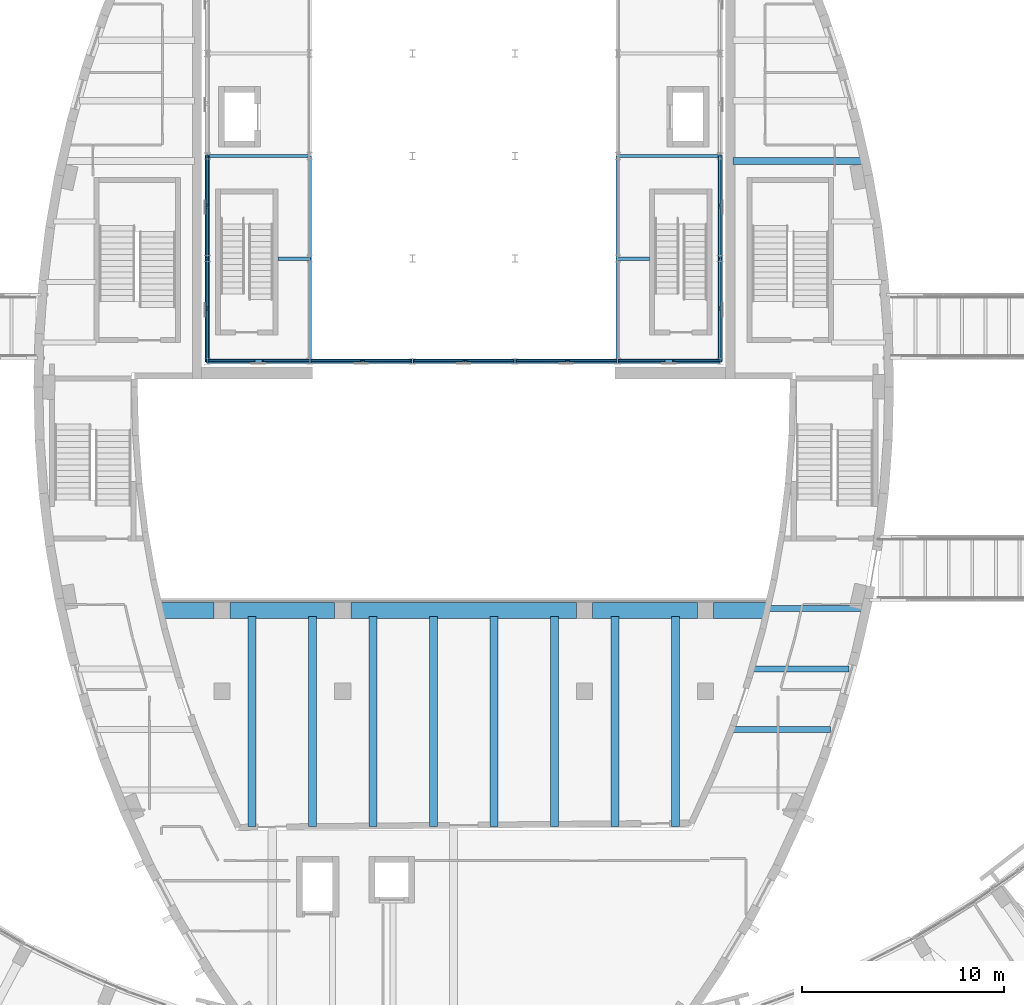
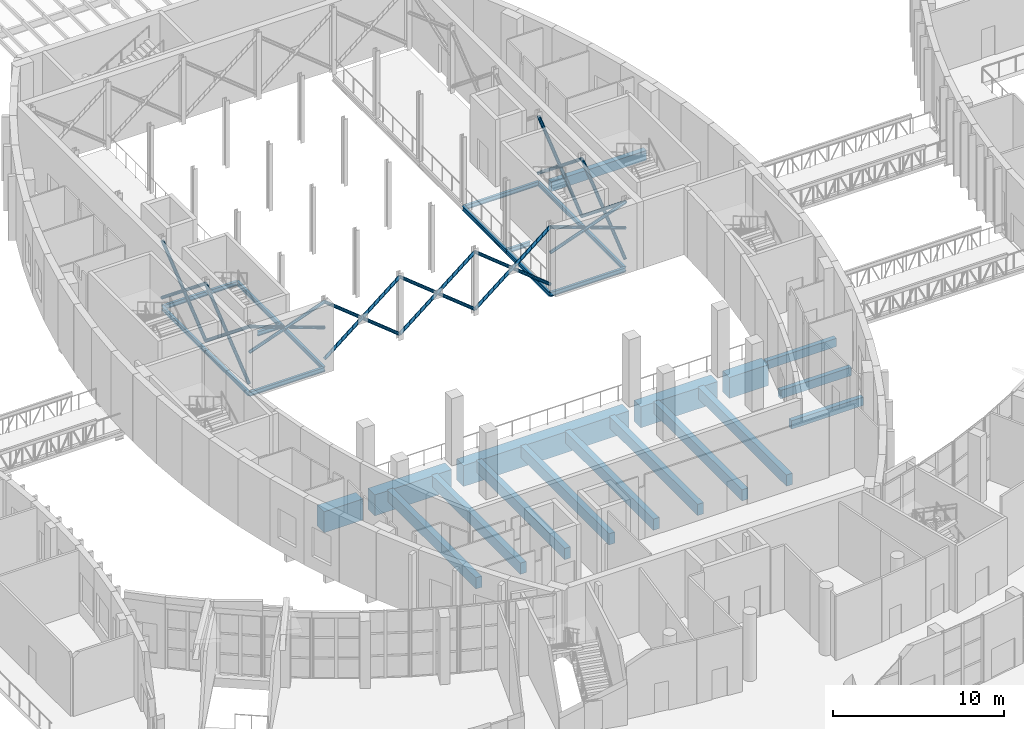
# One storey, part 25 of 93: 31 beams, 27 members.
"""IFC4 building model written with IfcOpenShell, lengths in metres."""

from ifc_helpers import new_model, si_unit, direction, frame, origin, origin_2d, place, context, subcontext, project, spatial, rectangle, hollow_circle, i_section, extrude, material, material_profile, profile_set, type_object, element, save


model = new_model("IFC4")

# Units and contexts
model_context = context("Model", 3, precision=1e-05, world=origin(), true_north=direction((0.0, 1.0)))
body_context = subcontext(model_context, "Body", "Model", "MODEL_VIEW")
ifc_project = project(units=[si_unit("LENGTHUNIT", "METRE"), si_unit("AREAUNIT", "SQUARE_METRE"), si_unit("VOLUMEUNIT", "CUBIC_METRE"), si_unit("PLANEANGLEUNIT", "RADIAN"), si_unit("MASSUNIT", "GRAM", prefix="KILO")], contexts=[model_context])

# Site, building, storey
site_placement = place(None, origin())
site = spatial("IfcSite", under=ifc_project, at=site_placement, CompositionType="ELEMENT")
building_placement = place(site_placement, origin())
building = spatial("IfcBuilding", under=site, at=building_placement, Name="Tide Square Theatres", CompositionType="ELEMENT")
storey_placement = place(building_placement, frame((0.0, 0.0, 5.39990234375)))
storey = spatial("IfcBuildingStorey", under=building, at=storey_placement, Name="L01", CompositionType="ELEMENT", Elevation=5.39990234375)

# Beams
ifc_material_1 = material(Name="Concrete C35", Category="concrete")
ifc_material_profile_1 = material_profile(ifc_material_1, rectangle(XDim=0.300048828125, YDim=0.60009765625, at=origin_2d()))
ifc_profile_set_1 = profile_set([ifc_material_profile_1], Name="Concrete C35")
beam_type_1 = type_object("IfcBeamType", Name="RC beam 300 x 600", PredefinedType="BEAM", material=ifc_profile_set_1)
beam_1_placement = place(storey_placement, frame((97.345947265625, 38.0, -0.5498046875), z_axis=(1.0, 0.0, 0.0), x_axis=(0.0, 1.0, 0.0)))
element("IfcBeam", 1, at=beam_1_placement, inside=storey, type_object=beam_type_1, Name="Floor beam", PredefinedType="BEAM", context=body_context, shape_type="SweptSolid", body=[
    extrude(rectangle(XDim=0.300048828125, YDim=0.60009765625, at=origin_2d()), origin(), (0.0, 0.0, 1.0), 4.850341796875),
])
beam_2_placement = place(storey_placement, frame((98.336669921875, 41.0, -0.5498046875), z_axis=(1.0, 0.0, 0.0), x_axis=(0.0, 1.0, 0.0)))
element("IfcBeam", 2, at=beam_2_placement, inside=storey, type_object=beam_type_1, Name="Floor beam", PredefinedType="BEAM", context=body_context, shape_type="SweptSolid", body=[
    extrude(rectangle(XDim=0.300048828125, YDim=0.60009765625, at=origin_2d()), origin(), (0.0, 0.0, 1.0), 4.769775390625),
])
beam_3_placement = place(storey_placement, frame((99.12060546875, 44.0, -0.5498046875), z_axis=(1.0, 0.0, 0.0), x_axis=(0.0, 1.0, 0.0)))
element("IfcBeam", 3, at=beam_3_placement, inside=storey, type_object=beam_type_1, Name="Floor beam", PredefinedType="BEAM", context=body_context, shape_type="SweptSolid", body=[
    extrude(rectangle(XDim=0.300048828125, YDim=0.60009765625, at=origin_2d()), origin(), (0.0, 0.0, 1.0), 4.710693359375),
])
ifc_material_2 = material(Name="Concrete C35", Category="concrete")
ifc_material_profile_2 = material_profile(ifc_material_2, rectangle(XDim=0.35009765625, YDim=0.699951171875, at=origin_2d()))
ifc_profile_set_2 = profile_set([ifc_material_profile_2], Name="Concrete C35")
beam_type_2 = type_object("IfcBeamType", Name="RC beam 350 x 700", PredefinedType="BEAM", material=ifc_profile_set_2)
beam_4_placement = place(storey_placement, frame((97.35009765625, 66.199951171875, -0.599853515625), z_axis=(1.0, 0.0, 0.0), x_axis=(0.0, 1.0, 0.0)))
element("IfcBeam", 4, at=beam_4_placement, inside=storey, type_object=beam_type_2, Name="Floor beam", PredefinedType="BEAM", context=body_context, shape_type="SweptSolid", body=[
    extrude(rectangle(XDim=0.35009765625, YDim=0.699951171875, at=origin_2d()), origin(), (0.0, 0.0, 1.0), 6.43603515625),
])
ifc_material_3 = material(Name="Concrete C35", Category="concrete")
ifc_material_profile_3 = material_profile(ifc_material_3, rectangle(XDim=0.39990234375, YDim=0.800048828125, at=origin_2d()))
ifc_profile_set_3 = profile_set([ifc_material_profile_3], Name="Concrete C35")
beam_type_3 = type_object("IfcBeamType", Name="RC beam 400 x 800", PredefinedType="BEAM", material=ifc_profile_set_3)
for number, where, z_axis, x_axis, name in (
    (5, (73.5, 33.199951171875, -0.64990234375), (0.0, 1.0, 0.0), (-1.0, 0.0, 0.0), "Tier raker beam"),
    (6, (76.5, 33.199951171875, -0.64990234375), (0.0, 1.0, 0.0), (-1.0, 0.0, 0.0), "Tier raker beam"),
    (7, (79.5, 33.199951171875, -0.64990234375), (0.0, 1.0, 0.0), (-1.0, 0.0, 0.0), "Tier raker beam"),
    (8, (82.5, 33.199951171875, -0.64990234375), (0.0, 1.0, 0.0), (-1.0, 0.0, 0.0), "Tier raker beam"),
    (9, (85.5, 33.199951171875, -0.64990234375), (0.0, 1.0, 0.0), (-1.0, 0.0, 0.0), "Tier raker beam"),
    (10, (88.5, 33.199951171875, -0.64990234375), (0.0, 1.0, 0.0), (-1.0, 0.0, 0.0), "Tier raker beam"),
    (11, (91.5, 33.199951171875, -0.64990234375), (0.0, 1.0, 0.0), (-1.0, 0.0, 0.0), "Tier raker beam"),
    (12, (94.5, 33.199951171875, -0.64990234375), (0.0, 1.0, 0.0), (-1.0, 0.0, 0.0), "Tier raker beam"),
):
    element("IfcBeam", number, at=place(storey_placement, frame(where, z_axis=z_axis, x_axis=x_axis)), inside=storey, type_object=beam_type_3, Name=name, PredefinedType="BEAM", context=body_context, shape_type="SweptSolid", body=[
        extrude(rectangle(XDim=0.39990234375, YDim=0.800048828125, at=origin_2d()), origin(), (0.0, 0.0, 1.0), 10.400146484375),
    ])
ifc_material_4 = material(Name="Concrete C35", Category="concrete")
ifc_material_profile_4 = material_profile(ifc_material_4, rectangle(XDim=0.800048828125, YDim=1.5, at=origin_2d()))
ifc_profile_set_4 = profile_set([ifc_material_profile_4], Name="Concrete C35")
beam_type_4 = type_object("IfcBeamType", Name="RC circle girder 800 x 1500", PredefinedType="BEAM", material=ifc_profile_set_4)
beam_5_placement = place(storey_placement, frame((68.959716796875, 43.89990234375, -1.0), z_axis=(1.0, 0.0, 0.0), x_axis=(0.0, 1.0, 0.0)))
element("IfcBeam", 13, at=beam_5_placement, inside=storey, type_object=beam_type_4, Name="Circle front girder", PredefinedType="BEAM", context=body_context, shape_type="SweptSolid", body=[
    extrude(rectangle(XDim=0.800048828125, YDim=1.5, at=origin_2d()), origin(), (0.0, 0.0, 1.0), 2.640380859375),
])
beam_6_placement = place(storey_placement, frame((72.39990234375, 43.89990234375, -1.0), z_axis=(1.0, 0.0, 0.0), x_axis=(0.0, 1.0, 0.0)))
element("IfcBeam", 14, at=beam_6_placement, inside=storey, type_object=beam_type_4, Name="Circle front girder", PredefinedType="BEAM", context=body_context, shape_type="SweptSolid", body=[
    extrude(rectangle(XDim=0.800048828125, YDim=1.5, at=origin_2d()), origin(), (0.0, 0.0, 1.0), 5.2001953125),
])
beam_7_placement = place(storey_placement, frame((78.39990234375, 43.89990234375, -1.0), z_axis=(1.0, 0.0, 0.0), x_axis=(0.0, 1.0, 0.0)))
element("IfcBeam", 15, at=beam_7_placement, inside=storey, type_object=beam_type_4, Name="Circle front girder", PredefinedType="BEAM", context=body_context, shape_type="SweptSolid", body=[
    extrude(rectangle(XDim=0.800048828125, YDim=1.5, at=origin_2d()), origin(), (0.0, 0.0, 1.0), 11.2001953125),
])
beam_8_placement = place(storey_placement, frame((90.39990234375, 43.89990234375, -1.0), z_axis=(1.0, 0.0, 0.0), x_axis=(0.0, 1.0, 0.0)))
element("IfcBeam", 16, at=beam_8_placement, inside=storey, type_object=beam_type_4, Name="Circle front girder", PredefinedType="BEAM", context=body_context, shape_type="SweptSolid", body=[
    extrude(rectangle(XDim=0.800048828125, YDim=1.5, at=origin_2d()), origin(), (0.0, 0.0, 1.0), 5.2001953125),
])
beam_9_placement = place(storey_placement, frame((96.39990234375, 43.89990234375, -1.0), z_axis=(1.0, 0.0, 0.0), x_axis=(0.0, 1.0, 0.0)))
element("IfcBeam", 17, at=beam_9_placement, inside=storey, type_object=beam_type_4, Name="Circle front girder", PredefinedType="BEAM", context=body_context, shape_type="SweptSolid", body=[
    extrude(rectangle(XDim=0.800048828125, YDim=1.5, at=origin_2d()), origin(), (0.0, 0.0, 1.0), 2.640380859375),
])
ifc_material_5 = material(Name="Steel ASTM A572 Grade 50", Category="steel")
ifc_material_profile_5 = material_profile(ifc_material_5, i_section(OverallWidth=0.1650390625, OverallDepth=0.31005859375, WebThickness=0.005859375, FlangeThickness=0.009765625, FilletRadius=0.010009765625, at=origin_2d()))
ifc_profile_set_5 = profile_set([ifc_material_profile_5], Name="Steel ASTM A572 Grade 50")
beam_type_5 = type_object("IfcBeamType", Name="Steel beam W 310 x 38.7", PredefinedType="BEAM", material=ifc_profile_set_5)
for number, where, z_axis, x_axis, name in (
    (18, (71.27587890625, 56.27587890625, -0.35498046875), (0.0, 1.0, 0.0), (-1.0, 0.0, 0.0), "Fly gallery beam"),
    (19, (71.27587890625, 61.365478515625, -0.35498046875), (0.0, 1.0, 0.0), (-1.0, 0.0, 0.0), "Fly gallery beam"),
    (20, (76.365478515625, 56.27587890625, -0.35498046875), (0.0, 1.0, 0.0), (-1.0, 0.0, 0.0), "Fly gallery beam"),
    (21, (76.365478515625, 61.365478515625, -0.35498046875), (0.0, 1.0, 0.0), (-1.0, 0.0, 0.0), "Fly gallery beam"),
    (22, (71.27587890625, 56.27587890625, -0.35498046875), (1.0, 0.0, 0.0), (0.0, 1.0, 0.0), "Fly gallery cross beam"),
):
    element("IfcBeam", number, at=place(storey_placement, frame(where, z_axis=z_axis, x_axis=x_axis)), inside=storey, type_object=beam_type_5, Name=name, PredefinedType="BEAM", context=body_context, shape_type="SweptSolid", body=[
        extrude(i_section(OverallWidth=0.1650390625, OverallDepth=0.31005859375, WebThickness=0.005859375, FlangeThickness=0.009765625, FilletRadius=0.010009765625, at=origin_2d()), origin(), (0.0, 0.0, 1.0), 5.089599609375),
    ])
beam_10_placement = place(storey_placement, frame((74.77587890625, 61.365478515625, -0.35498046875), z_axis=(1.0, 0.0, 0.0), x_axis=(0.0, 1.0, 0.0)))
element("IfcBeam", 23, at=beam_10_placement, inside=storey, type_object=beam_type_5, Name="Fly gallery cross beam", PredefinedType="BEAM", context=body_context, shape_type="SweptSolid", body=[
    extrude(i_section(OverallWidth=0.1650390625, OverallDepth=0.31005859375, WebThickness=0.005859375, FlangeThickness=0.009765625, FilletRadius=0.010009765625, at=origin_2d()), origin(), (0.0, 0.0, 1.0), 1.589599609375),
])
for number, where, z_axis, x_axis, name in (
    (24, (71.27587890625, 66.455078125, -0.35498046875), (1.0, 0.0, 0.0), (0.0, 1.0, 0.0), "Fly gallery cross beam"),
    (25, (91.634521484375, 56.27587890625, -0.35498046875), (0.0, 1.0, 0.0), (-1.0, 0.0, 0.0), "Fly gallery beam"),
    (26, (91.634521484375, 61.365478515625, -0.35498046875), (0.0, 1.0, 0.0), (-1.0, 0.0, 0.0), "Fly gallery beam"),
    (27, (96.72412109375, 56.27587890625, -0.35498046875), (0.0, 1.0, 0.0), (-1.0, 0.0, 0.0), "Fly gallery beam"),
    (28, (96.72412109375, 61.365478515625, -0.35498046875), (0.0, 1.0, 0.0), (-1.0, 0.0, 0.0), "Fly gallery beam"),
    (29, (91.634521484375, 56.27587890625, -0.35498046875), (1.0, 0.0, 0.0), (0.0, 1.0, 0.0), "Fly gallery cross beam"),
):
    element("IfcBeam", number, at=place(storey_placement, frame(where, z_axis=z_axis, x_axis=x_axis)), inside=storey, type_object=beam_type_5, Name=name, PredefinedType="BEAM", context=body_context, shape_type="SweptSolid", body=[
        extrude(i_section(OverallWidth=0.1650390625, OverallDepth=0.31005859375, WebThickness=0.005859375, FlangeThickness=0.009765625, FilletRadius=0.010009765625, at=origin_2d()), origin(), (0.0, 0.0, 1.0), 5.089599609375),
    ])
beam_11_placement = place(storey_placement, frame((91.634521484375, 61.365478515625, -0.35498046875), z_axis=(1.0, 0.0, 0.0), x_axis=(0.0, 1.0, 0.0)))
element("IfcBeam", 30, at=beam_11_placement, inside=storey, type_object=beam_type_5, Name="Fly gallery cross beam", PredefinedType="BEAM", context=body_context, shape_type="SweptSolid", body=[
    extrude(i_section(OverallWidth=0.1650390625, OverallDepth=0.31005859375, WebThickness=0.005859375, FlangeThickness=0.009765625, FilletRadius=0.010009765625, at=origin_2d()), origin(), (0.0, 0.0, 1.0), 1.589599609375),
])
beam_12_placement = place(storey_placement, frame((91.634521484375, 66.455078125, -0.35498046875), z_axis=(1.0, 0.0, 0.0), x_axis=(0.0, 1.0, 0.0)))
element("IfcBeam", 31, at=beam_12_placement, inside=storey, type_object=beam_type_5, Name="Fly gallery cross beam", PredefinedType="BEAM", context=body_context, shape_type="SweptSolid", body=[
    extrude(i_section(OverallWidth=0.1650390625, OverallDepth=0.31005859375, WebThickness=0.005859375, FlangeThickness=0.009765625, FilletRadius=0.010009765625, at=origin_2d()), origin(), (0.0, 0.0, 1.0), 5.089599609375),
])

# Members
ifc_material_6 = material(Name="Steel ASTM A500 Grade C", Category="steel")
ifc_material_profile_6 = material_profile(ifc_material_6, hollow_circle(Radius=0.109619140625, WallThickness=0.010009765625, at=origin_2d()))
ifc_profile_set_6 = profile_set([ifc_material_profile_6], Name="Steel ASTM A500 Grade C")
member_type = type_object("IfcMemberType", Name="Steel brace CHS 219.1 x 10.0", PredefinedType="BRACE", material=ifc_profile_set_6)
member_1_placement = place(storey_placement, frame((71.27587890625, 56.27587890625, 2.60009765625), z_axis=(0.939832905453, 0.0, 0.34163446815), x_axis=(0.0, 1.0, 0.0)))
element("IfcMember", 32, at=member_1_placement, inside=storey, type_object=member_type, Name="Fly tower brace", PredefinedType="BRACE", context=body_context, shape_type="SweptSolid", body=[
    extrude(hollow_circle(Radius=0.109619140625, WallThickness=0.010009765625, at=origin_2d()), origin(), (0.0, 0.0, 1.0), 5.41552734375),
])
member_2_placement = place(storey_placement, frame((76.365478515625, 56.27587890625, 2.60009765625), z_axis=(-0.939825105533, 0.0, 0.341655924886), x_axis=(0.0, -1.0, 0.0)))
element("IfcMember", 33, at=member_2_placement, inside=storey, type_object=member_type, Name="Fly tower brace", PredefinedType="BRACE", context=body_context, shape_type="SweptSolid", body=[
    extrude(hollow_circle(Radius=0.109619140625, WallThickness=0.010009765625, at=origin_2d()), origin(), (0.0, 0.0, 1.0), 2.474609375),
])
member_3_placement = place(storey_placement, frame((73.601806640625, 56.27587890625, 3.604736328125), z_axis=(-0.939836620269, 0.0, 0.341624248556), x_axis=(0.0, -1.0, 0.0)))
element("IfcMember", 34, at=member_3_placement, inside=storey, type_object=member_type, Name="Fly tower brace", PredefinedType="BRACE", context=body_context, shape_type="SweptSolid", body=[
    extrude(hollow_circle(Radius=0.109619140625, WallThickness=0.010009765625, at=origin_2d()), origin(), (0.0, 0.0, 1.0), 2.474853515625),
])
member_4_placement = place(storey_placement, frame((76.365478515625, 56.27587890625, 0.35009765625), z_axis=(0.778743263534, 0.0, 0.627342752808), x_axis=(0.0, 1.0, 0.0)))
element("IfcMember", 35, at=member_4_placement, inside=storey, type_object=member_type, Name="Fly tower brace", PredefinedType="BRACE", context=body_context, shape_type="SweptSolid", body=[
    extrude(hollow_circle(Radius=0.109619140625, WallThickness=0.010009765625, at=origin_2d()), origin(), (0.0, 0.0, 1.0), 6.53564453125),
])
member_5_placement = place(storey_placement, frame((81.455078125, 56.27587890625, 0.35009765625), z_axis=(-0.778726492764, 0.0, 0.627363570402), x_axis=(0.0, -1.0, 0.0)))
element("IfcMember", 36, at=member_5_placement, inside=storey, type_object=member_type, Name="Fly tower brace", PredefinedType="BRACE", context=body_context, shape_type="SweptSolid", body=[
    extrude(hollow_circle(Radius=0.109619140625, WallThickness=0.010009765625, at=origin_2d()), origin(), (0.0, 0.0, 1.0), 3.14208984375),
])
member_6_placement = place(storey_placement, frame((78.8125, 56.27587890625, 2.47900390625), z_axis=(-0.778757072218, 0.0, 0.627325611203), x_axis=(0.0, -1.0, 0.0)))
element("IfcMember", 37, at=member_6_placement, inside=storey, type_object=member_type, Name="Fly tower brace", PredefinedType="BRACE", context=body_context, shape_type="SweptSolid", body=[
    extrude(hollow_circle(Radius=0.109619140625, WallThickness=0.010009765625, at=origin_2d()), origin(), (0.0, 0.0, 1.0), 3.142333984375),
])
member_7_placement = place(storey_placement, frame((81.455078125, 56.27587890625, 0.35009765625), z_axis=(0.778757964354, 0.0, 0.627324503711), x_axis=(0.0, 1.0, 0.0)))
element("IfcMember", 38, at=member_7_placement, inside=storey, type_object=member_type, Name="Fly tower brace", PredefinedType="BRACE", context=body_context, shape_type="SweptSolid", body=[
    extrude(hollow_circle(Radius=0.109619140625, WallThickness=0.010009765625, at=origin_2d()), origin(), (0.0, 0.0, 1.0), 6.535888671875),
])
for number, where, z_axis, x_axis, name in (
    (39, (86.544921875, 56.27587890625, 0.35009765625), (-0.778757072218, 0.0, 0.627325611203), (0.0, -1.0, 0.0), "Fly tower brace"),
    (40, (83.902099609375, 56.27587890625, 2.47900390625), (-0.778757072218, 0.0, 0.627325611203), (0.0, -1.0, 0.0), "Fly tower brace"),
):
    element("IfcMember", number, at=place(storey_placement, frame(where, z_axis=z_axis, x_axis=x_axis)), inside=storey, type_object=member_type, Name=name, PredefinedType="BRACE", context=body_context, shape_type="SweptSolid", body=[
        extrude(hollow_circle(Radius=0.109619140625, WallThickness=0.010009765625, at=origin_2d()), origin(), (0.0, 0.0, 1.0), 3.142333984375),
    ])
member_8_placement = place(storey_placement, frame((86.544921875, 56.27587890625, 0.35009765625), z_axis=(0.778743263534, 0.0, 0.627342752808), x_axis=(0.0, 1.0, 0.0)))
element("IfcMember", 41, at=member_8_placement, inside=storey, type_object=member_type, Name="Fly tower brace", PredefinedType="BRACE", context=body_context, shape_type="SweptSolid", body=[
    extrude(hollow_circle(Radius=0.109619140625, WallThickness=0.010009765625, at=origin_2d()), origin(), (0.0, 0.0, 1.0), 6.53564453125),
])
member_9_placement = place(storey_placement, frame((91.634521484375, 56.27587890625, 0.35009765625), z_axis=(-0.778757072218, 0.0, 0.627325611203), x_axis=(0.0, -1.0, 0.0)))
element("IfcMember", 42, at=member_9_placement, inside=storey, type_object=member_type, Name="Fly tower brace", PredefinedType="BRACE", context=body_context, shape_type="SweptSolid", body=[
    extrude(hollow_circle(Radius=0.109619140625, WallThickness=0.010009765625, at=origin_2d()), origin(), (0.0, 0.0, 1.0), 3.142333984375),
])
member_10_placement = place(storey_placement, frame((88.99169921875, 56.27587890625, 2.47900390625), z_axis=(-0.778726492764, 0.0, 0.627363570402), x_axis=(0.0, -1.0, 0.0)))
element("IfcMember", 43, at=member_10_placement, inside=storey, type_object=member_type, Name="Fly tower brace", PredefinedType="BRACE", context=body_context, shape_type="SweptSolid", body=[
    extrude(hollow_circle(Radius=0.109619140625, WallThickness=0.010009765625, at=origin_2d()), origin(), (0.0, 0.0, 1.0), 3.14208984375),
])
member_11_placement = place(storey_placement, frame((91.634521484375, 56.27587890625, 2.60009765625), z_axis=(0.939832905453, 0.0, 0.34163446815), x_axis=(0.0, 1.0, 0.0)))
element("IfcMember", 44, at=member_11_placement, inside=storey, type_object=member_type, Name="Fly tower brace", PredefinedType="BRACE", context=body_context, shape_type="SweptSolid", body=[
    extrude(hollow_circle(Radius=0.109619140625, WallThickness=0.010009765625, at=origin_2d()), origin(), (0.0, 0.0, 1.0), 5.41552734375),
])
member_12_placement = place(storey_placement, frame((96.72412109375, 56.27587890625, 2.60009765625), z_axis=(-0.939836620269, 0.0, 0.341624248556), x_axis=(0.0, -1.0, 0.0)))
element("IfcMember", 45, at=member_12_placement, inside=storey, type_object=member_type, Name="Fly tower brace", PredefinedType="BRACE", context=body_context, shape_type="SweptSolid", body=[
    extrude(hollow_circle(Radius=0.109619140625, WallThickness=0.010009765625, at=origin_2d()), origin(), (0.0, 0.0, 1.0), 2.474853515625),
])
member_13_placement = place(storey_placement, frame((93.960205078125, 56.27587890625, 3.604736328125), z_axis=(-0.939825105533, 0.0, 0.341655924886), x_axis=(0.0, -1.0, 0.0)))
element("IfcMember", 46, at=member_13_placement, inside=storey, type_object=member_type, Name="Fly tower brace", PredefinedType="BRACE", context=body_context, shape_type="SweptSolid", body=[
    extrude(hollow_circle(Radius=0.109619140625, WallThickness=0.010009765625, at=origin_2d()), origin(), (0.0, 0.0, 1.0), 2.474609375),
])
member_14_placement = place(storey_placement, frame((71.27587890625, 56.27587890625, 0.35009765625), z_axis=(0.0, 0.778743263534, 0.627342752808), x_axis=(-1.0, 0.0, 0.0)))
element("IfcMember", 47, at=member_14_placement, inside=storey, type_object=member_type, Name="Fly tower brace", PredefinedType="BRACE", context=body_context, shape_type="SweptSolid", body=[
    extrude(hollow_circle(Radius=0.109619140625, WallThickness=0.010009765625, at=origin_2d()), origin(), (0.0, 0.0, 1.0), 6.53564453125),
])
member_15_placement = place(storey_placement, frame((71.27587890625, 61.365478515625, 0.35009765625), z_axis=(0.0, -0.778726492764, 0.627363570402), x_axis=(1.0, 0.0, 0.0)))
element("IfcMember", 48, at=member_15_placement, inside=storey, type_object=member_type, Name="Fly tower brace", PredefinedType="BRACE", context=body_context, shape_type="SweptSolid", body=[
    extrude(hollow_circle(Radius=0.109619140625, WallThickness=0.010009765625, at=origin_2d()), origin(), (0.0, 0.0, 1.0), 3.14208984375),
])
member_16_placement = place(storey_placement, frame((71.27587890625, 58.722900390625, 2.47900390625), z_axis=(0.0, -0.778757072218, 0.627325611203), x_axis=(1.0, 0.0, 0.0)))
element("IfcMember", 49, at=member_16_placement, inside=storey, type_object=member_type, Name="Fly tower brace", PredefinedType="BRACE", context=body_context, shape_type="SweptSolid", body=[
    extrude(hollow_circle(Radius=0.109619140625, WallThickness=0.010009765625, at=origin_2d()), origin(), (0.0, 0.0, 1.0), 3.142333984375),
])
member_17_placement = place(storey_placement, frame((71.27587890625, 61.365478515625, 0.35009765625), z_axis=(0.0, 0.778743263534, 0.627342752808), x_axis=(-1.0, 0.0, 0.0)))
element("IfcMember", 50, at=member_17_placement, inside=storey, type_object=member_type, Name="Fly tower brace", PredefinedType="BRACE", context=body_context, shape_type="SweptSolid", body=[
    extrude(hollow_circle(Radius=0.109619140625, WallThickness=0.010009765625, at=origin_2d()), origin(), (0.0, 0.0, 1.0), 6.53564453125),
])
member_18_placement = place(storey_placement, frame((71.27587890625, 66.455078125, 0.35009765625), z_axis=(0.0, -0.778726492764, 0.627363570402), x_axis=(1.0, 0.0, 0.0)))
element("IfcMember", 51, at=member_18_placement, inside=storey, type_object=member_type, Name="Fly tower brace", PredefinedType="BRACE", context=body_context, shape_type="SweptSolid", body=[
    extrude(hollow_circle(Radius=0.109619140625, WallThickness=0.010009765625, at=origin_2d()), origin(), (0.0, 0.0, 1.0), 3.14208984375),
])
member_19_placement = place(storey_placement, frame((71.27587890625, 63.8125, 2.47900390625), z_axis=(0.0, -0.778757072218, 0.627325611203), x_axis=(1.0, 0.0, 0.0)))
element("IfcMember", 52, at=member_19_placement, inside=storey, type_object=member_type, Name="Fly tower brace", PredefinedType="BRACE", context=body_context, shape_type="SweptSolid", body=[
    extrude(hollow_circle(Radius=0.109619140625, WallThickness=0.010009765625, at=origin_2d()), origin(), (0.0, 0.0, 1.0), 3.142333984375),
])
member_20_placement = place(storey_placement, frame((96.72412109375, 56.27587890625, 0.35009765625), z_axis=(0.0, 0.778743263534, 0.627342752808), x_axis=(-1.0, 0.0, 0.0)))
element("IfcMember", 53, at=member_20_placement, inside=storey, type_object=member_type, Name="Fly tower brace", PredefinedType="BRACE", context=body_context, shape_type="SweptSolid", body=[
    extrude(hollow_circle(Radius=0.109619140625, WallThickness=0.010009765625, at=origin_2d()), origin(), (0.0, 0.0, 1.0), 6.53564453125),
])
member_21_placement = place(storey_placement, frame((96.72412109375, 61.365478515625, 0.35009765625), z_axis=(0.0, -0.778726492764, 0.627363570402), x_axis=(1.0, 0.0, 0.0)))
element("IfcMember", 54, at=member_21_placement, inside=storey, type_object=member_type, Name="Fly tower brace", PredefinedType="BRACE", context=body_context, shape_type="SweptSolid", body=[
    extrude(hollow_circle(Radius=0.109619140625, WallThickness=0.010009765625, at=origin_2d()), origin(), (0.0, 0.0, 1.0), 3.14208984375),
])
member_22_placement = place(storey_placement, frame((96.72412109375, 58.722900390625, 2.47900390625), z_axis=(0.0, -0.778757072218, 0.627325611203), x_axis=(1.0, 0.0, 0.0)))
element("IfcMember", 55, at=member_22_placement, inside=storey, type_object=member_type, Name="Fly tower brace", PredefinedType="BRACE", context=body_context, shape_type="SweptSolid", body=[
    extrude(hollow_circle(Radius=0.109619140625, WallThickness=0.010009765625, at=origin_2d()), origin(), (0.0, 0.0, 1.0), 3.142333984375),
])
member_23_placement = place(storey_placement, frame((96.72412109375, 61.365478515625, 0.35009765625), z_axis=(0.0, 0.778743263534, 0.627342752808), x_axis=(-1.0, 0.0, 0.0)))
element("IfcMember", 56, at=member_23_placement, inside=storey, type_object=member_type, Name="Fly tower brace", PredefinedType="BRACE", context=body_context, shape_type="SweptSolid", body=[
    extrude(hollow_circle(Radius=0.109619140625, WallThickness=0.010009765625, at=origin_2d()), origin(), (0.0, 0.0, 1.0), 6.53564453125),
])
member_24_placement = place(storey_placement, frame((96.72412109375, 66.455078125, 0.35009765625), z_axis=(0.0, -0.778726492764, 0.627363570402), x_axis=(1.0, 0.0, 0.0)))
element("IfcMember", 57, at=member_24_placement, inside=storey, type_object=member_type, Name="Fly tower brace", PredefinedType="BRACE", context=body_context, shape_type="SweptSolid", body=[
    extrude(hollow_circle(Radius=0.109619140625, WallThickness=0.010009765625, at=origin_2d()), origin(), (0.0, 0.0, 1.0), 3.14208984375),
])
member_25_placement = place(storey_placement, frame((96.72412109375, 63.8125, 2.47900390625), z_axis=(0.0, -0.778757072218, 0.627325611203), x_axis=(1.0, 0.0, 0.0)))
element("IfcMember", 58, at=member_25_placement, inside=storey, type_object=member_type, Name="Fly tower brace", PredefinedType="BRACE", context=body_context, shape_type="SweptSolid", body=[
    extrude(hollow_circle(Radius=0.109619140625, WallThickness=0.010009765625, at=origin_2d()), origin(), (0.0, 0.0, 1.0), 3.142333984375),
])

save(model, "model.ifc")
